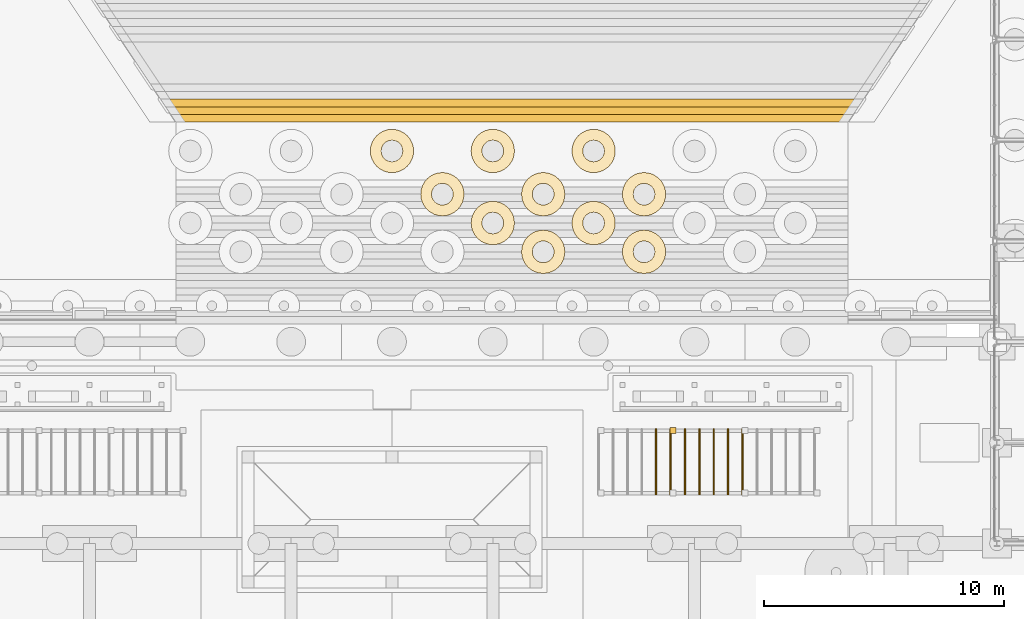
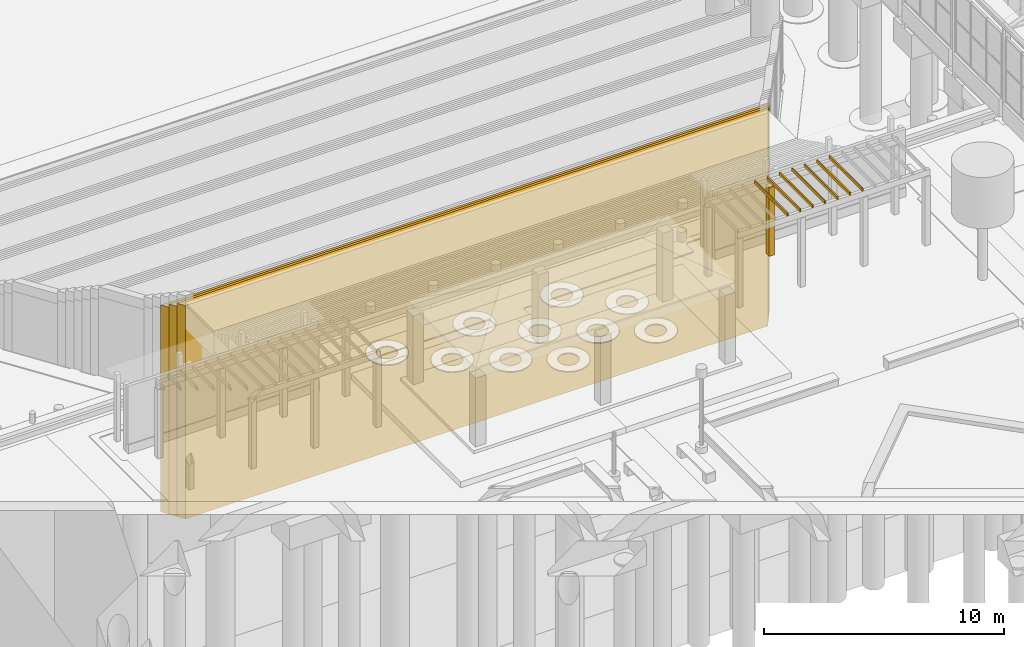
# One storey, part 178 of 222: 21 coverings.
"""IFC4 building model written with IfcOpenShell, lengths in metres."""

import ifcopenshell
import ifcopenshell.guid

model = None  # the IFC model being written
_history = None  # IfcOwnerHistory: only IFC2X3 demands one
_inside = {}  # id of a spatial element -> (the spatial element, [elements in it])
_under = {}  # id of a project, library or spatial element -> (it, [spatial elements below it])
_declared = {}  # id of a project -> (the project, [libraries it declares])
_typed = {}  # id of a type object -> (the type object, [elements of that type])
_made_of = {}  # id of a material, layer set ... -> (it, [elements and type objects made of it])


def new_model(schema):
    """Start an empty IFC model of exactly this schema.

    Asked for "IFC4X3", IfcOpenShell would pick the latest addendum, in which some entities
    have other attributes; the version numbers below select the first issue.
    IFC2X3 requires an IfcOwnerHistory on every rooted entity: one is made here for all.
    """
    global model, _history
    if schema == "IFC4X3":
        model = ifcopenshell.file(schema_version=(4, 3, 0, 0))
    else:
        model = ifcopenshell.file(schema=schema)
    _inside.clear()
    _under.clear()
    _declared.clear()
    _typed.clear()
    _made_of.clear()
    _history = None
    if model.schema == "IFC2X3":
        org = make("IfcOrganization", Name="unknown")
        user = make(
            "IfcPersonAndOrganization",
            ThePerson=make("IfcPerson", FamilyName="unknown"),
            TheOrganization=org,
        )
        app = make(
            "IfcApplication",
            ApplicationDeveloper=org,
            Version="unknown",
            ApplicationFullName="unknown",
            ApplicationIdentifier="unknown",
        )
        _history = make(
            "IfcOwnerHistory",
            OwningUser=user,
            OwningApplication=app,
            ChangeAction="ADDED",
            CreationDate=0,
        )
    return model


def make(cls, **values):
    """One entity of the class cls with the attributes given. An attribute that is None is left unset."""
    return model.create_entity(
        cls, **{name: value for name, value in values.items() if value is not None}
    )


def rooted(cls, **values):
    """An entity with a GlobalId (a new one), such as an element, a storey or a relation."""
    return make(cls, GlobalId=ifcopenshell.guid.new(), OwnerHistory=_history, **values)


def si_unit(unit_type, name, prefix=None):
    """IfcSIUnit, for example si_unit("LENGTHUNIT", "METRE", prefix="MILLI")."""
    return make("IfcSIUnit", UnitType=unit_type, Prefix=prefix, Name=name)


def assignment(units):
    """IfcUnitAssignment: the units of a project."""
    return None if units is None else make("IfcUnitAssignment", Units=units)


def point(xyz):
    """IfcCartesianPoint."""
    return None if xyz is None else make("IfcCartesianPoint", Coordinates=xyz)


def direction(xyz):
    """IfcDirection."""
    return None if xyz is None else make("IfcDirection", DirectionRatios=xyz)


def frame(location, z_axis=None, x_axis=None):
    """IfcAxis2Placement3D, a coordinate frame: its origin and axes. An axis left out is left unset."""
    return make(
        "IfcAxis2Placement3D",
        Location=point(location),
        Axis=direction(z_axis),
        RefDirection=direction(x_axis),
    )


def origin():
    """The frame at (0, 0, 0) with its axes left unset."""
    return frame((0.0, 0.0, 0.0))


def place(relative_to, where):
    """IfcLocalPlacement: puts the frame where relative to a parent placement (None: the world)."""
    return make(
        "IfcLocalPlacement", PlacementRelTo=relative_to, RelativePlacement=where
    )


def context(
    kind, dimensions, precision=None, world=None, true_north=None, identifier=None
):
    """IfcGeometricRepresentationContext, for example the 3D "Model" context."""
    return make(
        "IfcGeometricRepresentationContext",
        ContextIdentifier=identifier,
        ContextType=kind,
        CoordinateSpaceDimension=dimensions,
        Precision=precision,
        WorldCoordinateSystem=world,
        TrueNorth=true_north,
    )


def subcontext(parent, identifier, kind, view, scale=None):
    """IfcGeometricRepresentationSubContext, for example "Body" below "Model"."""
    return make(
        "IfcGeometricRepresentationSubContext",
        ContextIdentifier=identifier,
        ContextType=kind,
        ParentContext=parent,
        TargetScale=scale,
        TargetView=view,
    )


def project(units=None, contexts=None):
    """IfcProject with its units and contexts."""
    return rooted(
        "IfcProject",
        Name="project",
        RepresentationContexts=contexts,
        UnitsInContext=assignment(units),
    )


def spatial(cls, under=None, at=None, **own):
    """A site, building, storey or space (cls), placed at a placement, below another one or the project."""
    s = rooted(cls, ObjectPlacement=at, **own)
    if under is not None:
        _under.setdefault(under.id(), (under, []))[1].append(s)
    return s


def polyline(points):
    """IfcPolyline through the points."""
    return make("IfcPolyline", Points=[point(p) for p in points])


def outline(outer, holes=None, kind="AREA"):
    """IfcArbitraryClosedProfileDef: a profile drawn as a closed curve; with holes, ...WithVoids."""
    if holes is None:
        return make("IfcArbitraryClosedProfileDef", ProfileType=kind, OuterCurve=outer)
    return make(
        "IfcArbitraryProfileDefWithVoids",
        ProfileType=kind,
        OuterCurve=outer,
        InnerCurves=holes,
    )


def extrude(swept, where, along, depth):
    """IfcExtrudedAreaSolid: the profile swept, set in the frame where, extruded along a direction by depth."""
    return make(
        "IfcExtrudedAreaSolid",
        SweptArea=swept,
        Position=where,
        ExtrudedDirection=direction(along),
        Depth=depth,
    )


def shape(context_of_items, identifier, shape_type, items):
    """IfcShapeRepresentation: the items that make up one representation, for example the "Body"."""
    return make(
        "IfcShapeRepresentation",
        ContextOfItems=context_of_items,
        RepresentationIdentifier=identifier,
        RepresentationType=shape_type,
        Items=items,
    )


def material(Name=None, Category=None):
    """IfcMaterial."""
    return make("IfcMaterial", Name=Name, Category=Category)


def layer(
    of_material, thickness, ventilated=None, Name=None, Category=None, Priority=None
):
    """IfcMaterialLayer: one layer of a wall or slab, of a material (None: an air gap)."""
    return make(
        "IfcMaterialLayer",
        Material=of_material,
        LayerThickness=thickness,
        IsVentilated=ventilated,
        Name=Name,
        Category=Category,
        Priority=Priority,
    )


def layer_set(layers, Name=None):
    """IfcMaterialLayerSet."""
    return make("IfcMaterialLayerSet", MaterialLayers=layers, LayerSetName=Name)


def made_of(thing, what):
    """Note that an element or type object is made of a material, layer set ...; save() writes the relation."""
    if what is not None:
        _made_of.setdefault(what.id(), (what, []))[1].append(thing)
    return thing


def type_object(cls, material=None, **own):
    """A type object (cls), such as IfcWallType, which elements share."""
    return made_of(rooted(cls, **own), material)


def element(
    cls,
    number,
    at=None,
    inside=None,
    cuts=None,
    type_object=None,
    material=None,
    context=None,
    identifier="Body",
    shape_type=None,
    held_by="IfcProductDefinitionShape",
    body=None,
    shapes=None,
    **own,
):
    """One element of the class cls, such as IfcWall. Its Tag is "e" and its number.

    at: its placement. inside: the storey or other place that contains it. cuts: it is an
    opening in that element (IfcRelVoidsElement). A single representation is given by context,
    identifier, shape_type and body (its items); several are given by shapes. held_by: the class
    of the entity that holds the representations. save() writes the other relations.
    """
    e = rooted(cls, Tag="e%d" % number, ObjectPlacement=at, **own)
    if body is not None:
        shapes = [shape(context, identifier, shape_type, body)]
    if shapes is not None:
        e.Representation = make(held_by, Representations=shapes)
    if inside is not None:
        _inside.setdefault(inside.id(), (inside, []))[1].append(e)
    if cuts is not None:
        rooted(
            "IfcRelVoidsElement", RelatingBuildingElement=cuts, RelatedOpeningElement=e
        )
    if type_object is not None:
        _typed.setdefault(type_object.id(), (type_object, []))[1].append(e)
    return made_of(e, material)


def aggregate(whole, parts):
    """IfcRelAggregates: a whole, such as a stair, and the parts it consists of."""
    return rooted("IfcRelAggregates", RelatingObject=whole, RelatedObjects=parts)


def save(model, path):
    """Write the relations noted so far, then the file.

    IfcRelAggregates (storeys below a building ...), IfcRelContainedInSpatialStructure (elements
    in a storey), IfcRelDefinesByType, IfcRelAssociatesMaterial and IfcRelDeclares: one each for
    every whole, place, type object, material and project.
    """
    for whole, parts in _under.values():
        aggregate(whole, parts)
    for where, things in _inside.values():
        rooted(
            "IfcRelContainedInSpatialStructure",
            RelatedElements=things,
            RelatingStructure=where,
        )
    for kind, things in _typed.values():
        rooted("IfcRelDefinesByType", RelatedObjects=things, RelatingType=kind)
    for what, things in _made_of.values():
        rooted("IfcRelAssociatesMaterial", RelatedObjects=things, RelatingMaterial=what)
    for by, libraries in _declared.values():
        rooted("IfcRelDeclares", RelatingContext=by, RelatedDefinitions=libraries)
    model.write(path)


model = new_model("IFC4")

# Units and contexts
model_context = context("Model", 3, precision=1e-05, world=origin(), true_north=direction((0.0, 1.0)))
body_context = subcontext(model_context, "Body", "Model", "MODEL_VIEW")
ifc_project = project(units=[si_unit("LENGTHUNIT", "METRE"), si_unit("AREAUNIT", "SQUARE_METRE"), si_unit("VOLUMEUNIT", "CUBIC_METRE"), si_unit("PLANEANGLEUNIT", "RADIAN"), si_unit("MASSUNIT", "GRAM", prefix="KILO")], contexts=[model_context])

# Site, building, storey
site_placement = place(None, origin())
site = spatial("IfcSite", under=ifc_project, at=site_placement, CompositionType="ELEMENT")
building_placement = place(site_placement, origin())
building = spatial("IfcBuilding", under=site, at=building_placement, Name="Sava Quay Ferry Terminal", CompositionType="ELEMENT")
storey_placement = place(building_placement, origin())
storey = spatial("IfcBuildingStorey", under=building, at=storey_placement, Name="L00", CompositionType="ELEMENT", Elevation=0.0)

# Coverings
ifc_material_1 = material(Name="Steel S355", Category="steel")
ifc_layer_1 = layer(ifc_material_1, 0.25)
ifc_layer_set_1 = layer_set([ifc_layer_1], Name="Steel S355")
covering_type_1 = type_object("IfcCoveringType", Name="Promenade pergola post 250", PredefinedType="CLADDING", material=ifc_layer_set_1)
covering_1_placement = place(storey_placement, origin())
element("IfcCovering", 1, at=covering_1_placement, inside=storey, type_object=covering_type_1, Name="Promenade pergola post", PredefinedType="CLADDING", context=body_context, shape_type="SweptSolid", body=[
    extrude(outline(polyline([(32.824951171875, 113.77490234375), (32.824951171875, 114.02490234375), (32.574951171875, 114.02490234375), (32.574951171875, 113.77490234375), (32.824951171875, 113.77490234375)])), origin(), (0.0, 0.0, 1.0), 3.5),
])
ifc_material_2 = material(Name="Glulam GL28h", Category="wood")
ifc_layer_2 = layer(ifc_material_2, 0.06005859375)
ifc_layer_set_2 = layer_set([ifc_layer_2], Name="Glulam GL28h")
covering_type_2 = type_object("IfcCoveringType", Name="Promenade pergola rafter 60x150", PredefinedType="CLADDING", material=ifc_layer_set_2)
covering_2_placement = place(storey_placement, frame((0.0, 0.0, 3.800048828125)))
element("IfcCovering", 2, at=covering_2_placement, inside=storey, type_object=covering_type_2, Name="Promenade pergola rafter", PredefinedType="CLADDING", context=body_context, shape_type="SweptSolid", body=[
    extrude(outline(polyline([(32.034912109375, 111.22509765625), (32.034912109375, 113.97509765625), (31.97509765625, 113.97509765625), (31.97509765625, 111.22509765625), (32.034912109375, 111.22509765625)])), origin(), (0.0, 0.0, 1.0), 0.14990234375),
])
covering_3_placement = place(storey_placement, frame((0.0, 0.0, 3.800048828125)))
element("IfcCovering", 3, at=covering_3_placement, inside=storey, type_object=covering_type_2, Name="Promenade pergola rafter", PredefinedType="CLADDING", context=body_context, shape_type="SweptSolid", body=[
    extrude(outline(polyline([(32.635009765625, 111.22509765625), (32.635009765625, 113.97509765625), (32.574951171875, 113.97509765625), (32.574951171875, 111.22509765625), (32.635009765625, 111.22509765625)])), origin(), (0.0, 0.0, 1.0), 0.14990234375),
])
covering_4_placement = place(storey_placement, frame((0.0, 0.0, 3.800048828125)))
element("IfcCovering", 4, at=covering_4_placement, inside=storey, type_object=covering_type_2, Name="Promenade pergola rafter", PredefinedType="CLADDING", context=body_context, shape_type="SweptSolid", body=[
    extrude(outline(polyline([(33.235107421875, 111.22509765625), (33.235107421875, 113.97509765625), (33.175048828125, 113.97509765625), (33.175048828125, 111.22509765625), (33.235107421875, 111.22509765625)])), origin(), (0.0, 0.0, 1.0), 0.14990234375),
])
covering_5_placement = place(storey_placement, frame((0.0, 0.0, 3.800048828125)))
element("IfcCovering", 5, at=covering_5_placement, inside=storey, type_object=covering_type_2, Name="Promenade pergola rafter", PredefinedType="CLADDING", context=body_context, shape_type="SweptSolid", body=[
    extrude(outline(polyline([(33.8349609375, 111.22509765625), (33.8349609375, 113.97509765625), (33.77490234375, 113.97509765625), (33.77490234375, 111.22509765625), (33.8349609375, 111.22509765625)])), origin(), (0.0, 0.0, 1.0), 0.14990234375),
])
covering_6_placement = place(storey_placement, frame((0.0, 0.0, 3.800048828125)))
element("IfcCovering", 6, at=covering_6_placement, inside=storey, type_object=covering_type_2, Name="Promenade pergola rafter", PredefinedType="CLADDING", context=body_context, shape_type="SweptSolid", body=[
    extrude(outline(polyline([(34.43505859375, 111.22509765625), (34.43505859375, 113.97509765625), (34.375, 113.97509765625), (34.375, 111.22509765625), (34.43505859375, 111.22509765625)])), origin(), (0.0, 0.0, 1.0), 0.14990234375),
])
covering_7_placement = place(storey_placement, frame((0.0, 0.0, 3.800048828125)))
element("IfcCovering", 7, at=covering_7_placement, inside=storey, type_object=covering_type_2, Name="Promenade pergola rafter", PredefinedType="CLADDING", context=body_context, shape_type="SweptSolid", body=[
    extrude(outline(polyline([(35.034912109375, 111.22509765625), (35.034912109375, 113.97509765625), (34.97509765625, 113.97509765625), (34.97509765625, 111.22509765625), (35.034912109375, 111.22509765625)])), origin(), (0.0, 0.0, 1.0), 0.14990234375),
])
covering_8_placement = place(storey_placement, frame((0.0, 0.0, 3.800048828125)))
element("IfcCovering", 8, at=covering_8_placement, inside=storey, type_object=covering_type_2, Name="Promenade pergola rafter", PredefinedType="CLADDING", context=body_context, shape_type="SweptSolid", body=[
    extrude(outline(polyline([(35.635009765625, 111.22509765625), (35.635009765625, 113.97509765625), (35.574951171875, 113.97509765625), (35.574951171875, 111.22509765625), (35.635009765625, 111.22509765625)])), origin(), (0.0, 0.0, 1.0), 0.14990234375),
])
ifc_material_3 = material(Name="Water")
ifc_layer_3 = layer(ifc_material_3, 0.0400390625)
ifc_layer_set_3 = layer_set([ifc_layer_3], Name="Water")
covering_type_3 = type_object("IfcCoveringType", Name="River foam collar", PredefinedType="CLADDING", material=ifc_layer_set_3)
covering_9_placement = place(storey_placement, frame((0.0, 0.0, -8.0)))
element("IfcCovering", 9, at=covering_9_placement, inside=storey, type_object=covering_type_3, Name="River foam collar", PredefinedType="CLADDING", context=body_context, shape_type="SweptSolid", body=[
    extrude(outline(polyline([(26.662109375, 121.988037109375), (26.550048828125, 121.85107421875), (26.466064453125, 121.695068359375), (26.4150390625, 121.52587890625), (26.39794921875, 121.35009765625), (26.4150390625, 121.174072265625), (26.466064453125, 121.0048828125), (26.550048828125, 120.84912109375), (26.662109375, 120.7119140625), (26.799072265625, 120.60009765625), (26.955078125, 120.51611328125), (27.1240234375, 120.465087890625), (27.300048828125, 120.447998046875), (27.47607421875, 120.465087890625), (27.64501953125, 120.51611328125), (27.801025390625, 120.60009765625), (27.93798828125, 120.7119140625), (28.050048828125, 120.84912109375), (28.134033203125, 121.0048828125), (28.18505859375, 121.174072265625), (28.201904296875, 121.35009765625), (28.18505859375, 121.52587890625), (28.134033203125, 121.695068359375), (28.050048828125, 121.85107421875), (27.93798828125, 121.988037109375), (27.801025390625, 122.10009765625), (27.64501953125, 122.18408203125), (27.47607421875, 122.235107421875), (27.300048828125, 122.251953125), (27.1240234375, 122.235107421875), (26.955078125, 122.18408203125), (26.799072265625, 122.10009765625), (26.662109375, 121.988037109375)]), holes=[polyline([(26.98193359375, 121.031982421875), (26.926025390625, 121.10009765625), (26.884033203125, 121.177978515625), (26.85888671875, 121.261962890625), (26.85009765625, 121.35009765625), (26.85888671875, 121.43798828125), (26.884033203125, 121.52197265625), (26.926025390625, 121.60009765625), (26.98193359375, 121.66796875), (27.050048828125, 121.72412109375), (27.1279296875, 121.76611328125), (27.2119140625, 121.791015625), (27.300048828125, 121.800048828125), (27.387939453125, 121.791015625), (27.471923828125, 121.76611328125), (27.550048828125, 121.72412109375), (27.617919921875, 121.66796875), (27.674072265625, 121.60009765625), (27.716064453125, 121.52197265625), (27.740966796875, 121.43798828125), (27.75, 121.35009765625), (27.740966796875, 121.261962890625), (27.716064453125, 121.177978515625), (27.674072265625, 121.10009765625), (27.617919921875, 121.031982421875), (27.550048828125, 120.97607421875), (27.471923828125, 120.93408203125), (27.387939453125, 120.908935546875), (27.300048828125, 120.89990234375), (27.2119140625, 120.908935546875), (27.1279296875, 120.93408203125), (27.050048828125, 120.97607421875), (26.98193359375, 121.031982421875)])]), origin(), (0.0, 0.0, 1.0), 0.0400390625),
])
covering_10_placement = place(storey_placement, frame((0.0, 0.0, -8.0)))
element("IfcCovering", 10, at=covering_10_placement, inside=storey, type_object=covering_type_3, Name="River foam collar", PredefinedType="CLADDING", context=body_context, shape_type="SweptSolid", body=[
    extrude(outline(polyline([(30.9990234375, 122.10009765625), (30.862060546875, 121.988037109375), (30.75, 121.85107421875), (30.666015625, 121.695068359375), (30.614990234375, 121.52587890625), (30.597900390625, 121.35009765625), (30.614990234375, 121.174072265625), (30.666015625, 121.0048828125), (30.75, 120.84912109375), (30.862060546875, 120.7119140625), (30.9990234375, 120.60009765625), (31.155029296875, 120.51611328125), (31.323974609375, 120.465087890625), (31.5, 120.447998046875), (31.676025390625, 120.465087890625), (31.844970703125, 120.51611328125), (32.0009765625, 120.60009765625), (32.137939453125, 120.7119140625), (32.25, 120.84912109375), (32.333984375, 121.0048828125), (32.385009765625, 121.174072265625), (32.402099609375, 121.35009765625), (32.385009765625, 121.52587890625), (32.333984375, 121.695068359375), (32.25, 121.85107421875), (32.137939453125, 121.988037109375), (32.0009765625, 122.10009765625), (31.844970703125, 122.18408203125), (31.676025390625, 122.235107421875), (31.5, 122.251953125), (31.323974609375, 122.235107421875), (31.155029296875, 122.18408203125), (30.9990234375, 122.10009765625)]), holes=[polyline([(31.25, 120.97607421875), (31.181884765625, 121.031982421875), (31.1259765625, 121.10009765625), (31.083984375, 121.177978515625), (31.05908203125, 121.261962890625), (31.050048828125, 121.35009765625), (31.05908203125, 121.43798828125), (31.083984375, 121.52197265625), (31.1259765625, 121.60009765625), (31.181884765625, 121.66796875), (31.25, 121.72412109375), (31.327880859375, 121.76611328125), (31.412109375, 121.791015625), (31.5, 121.800048828125), (31.587890625, 121.791015625), (31.672119140625, 121.76611328125), (31.75, 121.72412109375), (31.818115234375, 121.66796875), (31.8740234375, 121.60009765625), (31.916015625, 121.52197265625), (31.94091796875, 121.43798828125), (31.949951171875, 121.35009765625), (31.94091796875, 121.261962890625), (31.916015625, 121.177978515625), (31.8740234375, 121.10009765625), (31.818115234375, 121.031982421875), (31.75, 120.97607421875), (31.672119140625, 120.93408203125), (31.587890625, 120.908935546875), (31.5, 120.89990234375), (31.412109375, 120.908935546875), (31.327880859375, 120.93408203125), (31.25, 120.97607421875)])]), origin(), (0.0, 0.0, 1.0), 0.0400390625),
])
covering_11_placement = place(storey_placement, frame((0.0, 0.0, -8.0)))
element("IfcCovering", 11, at=covering_11_placement, inside=storey, type_object=covering_type_3, Name="River foam collar", PredefinedType="CLADDING", context=body_context, shape_type="SweptSolid", body=[
    extrude(outline(polyline([(25.544921875, 123.384033203125), (25.3759765625, 123.43505859375), (25.199951171875, 123.451904296875), (25.02392578125, 123.43505859375), (24.85498046875, 123.384033203125), (24.698974609375, 123.300048828125), (24.56201171875, 123.18798828125), (24.449951171875, 123.051025390625), (24.365966796875, 122.89501953125), (24.31494140625, 122.72607421875), (24.298095703125, 122.550048828125), (24.31494140625, 122.3740234375), (24.365966796875, 122.205078125), (24.449951171875, 122.049072265625), (24.56201171875, 121.912109375), (24.698974609375, 121.800048828125), (24.85498046875, 121.716064453125), (25.02392578125, 121.6650390625), (25.199951171875, 121.64794921875), (25.3759765625, 121.6650390625), (25.544921875, 121.716064453125), (25.700927734375, 121.800048828125), (25.837890625, 121.912109375), (25.949951171875, 122.049072265625), (26.033935546875, 122.205078125), (26.0849609375, 122.3740234375), (26.10205078125, 122.550048828125), (26.0849609375, 122.72607421875), (26.033935546875, 122.89501953125), (25.949951171875, 123.051025390625), (25.837890625, 123.18798828125), (25.700927734375, 123.300048828125), (25.544921875, 123.384033203125)]), holes=[polyline([(25.3720703125, 122.134033203125), (25.2880859375, 122.10888671875), (25.199951171875, 122.10009765625), (25.112060546875, 122.10888671875), (25.028076171875, 122.134033203125), (24.949951171875, 122.176025390625), (24.882080078125, 122.23193359375), (24.825927734375, 122.300048828125), (24.783935546875, 122.3779296875), (24.759033203125, 122.4619140625), (24.75, 122.550048828125), (24.759033203125, 122.637939453125), (24.783935546875, 122.721923828125), (24.825927734375, 122.800048828125), (24.882080078125, 122.867919921875), (24.949951171875, 122.924072265625), (25.028076171875, 122.966064453125), (25.112060546875, 122.990966796875), (25.199951171875, 123.0), (25.2880859375, 122.990966796875), (25.3720703125, 122.966064453125), (25.449951171875, 122.924072265625), (25.51806640625, 122.867919921875), (25.573974609375, 122.800048828125), (25.615966796875, 122.721923828125), (25.64111328125, 122.637939453125), (25.64990234375, 122.550048828125), (25.64111328125, 122.4619140625), (25.615966796875, 122.3779296875), (25.573974609375, 122.300048828125), (25.51806640625, 122.23193359375), (25.449951171875, 122.176025390625), (25.3720703125, 122.134033203125)])]), origin(), (0.0, 0.0, 1.0), 0.0400390625),
])
covering_12_placement = place(storey_placement, frame((0.0, 0.0, -8.0)))
element("IfcCovering", 12, at=covering_12_placement, inside=storey, type_object=covering_type_3, Name="River foam collar", PredefinedType="CLADDING", context=body_context, shape_type="SweptSolid", body=[
    extrude(outline(polyline([(29.90087890625, 123.300048828125), (29.7451171875, 123.384033203125), (29.575927734375, 123.43505859375), (29.39990234375, 123.451904296875), (29.22412109375, 123.43505859375), (29.054931640625, 123.384033203125), (28.89892578125, 123.300048828125), (28.761962890625, 123.18798828125), (28.64990234375, 123.051025390625), (28.56591796875, 122.89501953125), (28.514892578125, 122.72607421875), (28.498046875, 122.550048828125), (28.514892578125, 122.3740234375), (28.56591796875, 122.205078125), (28.64990234375, 122.049072265625), (28.761962890625, 121.912109375), (28.89892578125, 121.800048828125), (29.054931640625, 121.716064453125), (29.22412109375, 121.6650390625), (29.39990234375, 121.64794921875), (29.575927734375, 121.6650390625), (29.7451171875, 121.716064453125), (29.90087890625, 121.800048828125), (30.0380859375, 121.912109375), (30.14990234375, 122.049072265625), (30.23388671875, 122.205078125), (30.284912109375, 122.3740234375), (30.302001953125, 122.550048828125), (30.284912109375, 122.72607421875), (30.23388671875, 122.89501953125), (30.14990234375, 123.051025390625), (30.0380859375, 123.18798828125), (29.90087890625, 123.300048828125)]), holes=[polyline([(29.64990234375, 122.176025390625), (29.572021484375, 122.134033203125), (29.488037109375, 122.10888671875), (29.39990234375, 122.10009765625), (29.31201171875, 122.10888671875), (29.22802734375, 122.134033203125), (29.14990234375, 122.176025390625), (29.08203125, 122.23193359375), (29.02587890625, 122.300048828125), (28.98388671875, 122.3779296875), (28.958984375, 122.4619140625), (28.949951171875, 122.550048828125), (28.958984375, 122.637939453125), (28.98388671875, 122.721923828125), (29.02587890625, 122.800048828125), (29.08203125, 122.867919921875), (29.14990234375, 122.924072265625), (29.22802734375, 122.966064453125), (29.31201171875, 122.990966796875), (29.39990234375, 123.0), (29.488037109375, 122.990966796875), (29.572021484375, 122.966064453125), (29.64990234375, 122.924072265625), (29.718017578125, 122.867919921875), (29.77392578125, 122.800048828125), (29.81591796875, 122.721923828125), (29.841064453125, 122.637939453125), (29.85009765625, 122.550048828125), (29.841064453125, 122.4619140625), (29.81591796875, 122.3779296875), (29.77392578125, 122.300048828125), (29.718017578125, 122.23193359375), (29.64990234375, 122.176025390625)])]), origin(), (0.0, 0.0, 1.0), 0.0400390625),
])
covering_13_placement = place(storey_placement, frame((0.0, 0.0, -8.0)))
element("IfcCovering", 13, at=covering_13_placement, inside=storey, type_object=covering_type_3, Name="River foam collar", PredefinedType="CLADDING", context=body_context, shape_type="SweptSolid", body=[
    extrude(outline(polyline([(24.001953125, 123.75), (23.985107421875, 123.926025390625), (23.93408203125, 124.094970703125), (23.85009765625, 124.2509765625), (23.738037109375, 124.387939453125), (23.60107421875, 124.5), (23.445068359375, 124.583984375), (23.27587890625, 124.635009765625), (23.10009765625, 124.652099609375), (22.924072265625, 124.635009765625), (22.7548828125, 124.583984375), (22.59912109375, 124.5), (22.4619140625, 124.387939453125), (22.35009765625, 124.2509765625), (22.26611328125, 124.094970703125), (22.215087890625, 123.926025390625), (22.197998046875, 123.75), (22.215087890625, 123.573974609375), (22.26611328125, 123.405029296875), (22.35009765625, 123.2490234375), (22.4619140625, 123.112060546875), (22.59912109375, 123.0), (22.7548828125, 122.916015625), (22.924072265625, 122.864990234375), (23.10009765625, 122.847900390625), (23.27587890625, 122.864990234375), (23.445068359375, 122.916015625), (23.60107421875, 123.0), (23.738037109375, 123.112060546875), (23.85009765625, 123.2490234375), (23.93408203125, 123.405029296875), (23.985107421875, 123.573974609375), (24.001953125, 123.75)]), holes=[polyline([(23.550048828125, 123.75), (23.541015625, 123.662109375), (23.51611328125, 123.577880859375), (23.47412109375, 123.5), (23.41796875, 123.431884765625), (23.35009765625, 123.3759765625), (23.27197265625, 123.333984375), (23.18798828125, 123.30908203125), (23.10009765625, 123.300048828125), (23.011962890625, 123.30908203125), (22.927978515625, 123.333984375), (22.85009765625, 123.3759765625), (22.781982421875, 123.431884765625), (22.72607421875, 123.5), (22.68408203125, 123.577880859375), (22.658935546875, 123.662109375), (22.64990234375, 123.75), (22.658935546875, 123.837890625), (22.68408203125, 123.922119140625), (22.72607421875, 124.0), (22.781982421875, 124.068115234375), (22.85009765625, 124.1240234375), (22.927978515625, 124.166015625), (23.011962890625, 124.19091796875), (23.10009765625, 124.199951171875), (23.18798828125, 124.19091796875), (23.27197265625, 124.166015625), (23.35009765625, 124.1240234375), (23.41796875, 124.068115234375), (23.47412109375, 124.0), (23.51611328125, 123.922119140625), (23.541015625, 123.837890625), (23.550048828125, 123.75)])]), origin(), (0.0, 0.0, 1.0), 0.0400390625),
])
covering_14_placement = place(storey_placement, frame((0.0, 0.0, -8.0)))
element("IfcCovering", 14, at=covering_14_placement, inside=storey, type_object=covering_type_3, Name="River foam collar", PredefinedType="CLADDING", context=body_context, shape_type="SweptSolid", body=[
    extrude(outline(polyline([(28.18505859375, 123.573974609375), (28.201904296875, 123.75), (28.18505859375, 123.926025390625), (28.134033203125, 124.094970703125), (28.050048828125, 124.2509765625), (27.93798828125, 124.387939453125), (27.801025390625, 124.5), (27.64501953125, 124.583984375), (27.47607421875, 124.635009765625), (27.300048828125, 124.652099609375), (27.1240234375, 124.635009765625), (26.955078125, 124.583984375), (26.799072265625, 124.5), (26.662109375, 124.387939453125), (26.550048828125, 124.2509765625), (26.466064453125, 124.094970703125), (26.4150390625, 123.926025390625), (26.39794921875, 123.75), (26.4150390625, 123.573974609375), (26.466064453125, 123.405029296875), (26.550048828125, 123.2490234375), (26.662109375, 123.112060546875), (26.799072265625, 123.0), (26.955078125, 122.916015625), (27.1240234375, 122.864990234375), (27.300048828125, 122.847900390625), (27.47607421875, 122.864990234375), (27.64501953125, 122.916015625), (27.801025390625, 123.0), (27.93798828125, 123.112060546875), (28.050048828125, 123.2490234375), (28.134033203125, 123.405029296875), (28.18505859375, 123.573974609375)]), holes=[polyline([(27.740966796875, 123.837890625), (27.75, 123.75), (27.740966796875, 123.662109375), (27.716064453125, 123.577880859375), (27.674072265625, 123.5), (27.617919921875, 123.431884765625), (27.550048828125, 123.3759765625), (27.471923828125, 123.333984375), (27.387939453125, 123.30908203125), (27.300048828125, 123.300048828125), (27.2119140625, 123.30908203125), (27.1279296875, 123.333984375), (27.050048828125, 123.3759765625), (26.98193359375, 123.431884765625), (26.926025390625, 123.5), (26.884033203125, 123.577880859375), (26.85888671875, 123.662109375), (26.85009765625, 123.75), (26.85888671875, 123.837890625), (26.884033203125, 123.922119140625), (26.926025390625, 124.0), (26.98193359375, 124.068115234375), (27.050048828125, 124.1240234375), (27.1279296875, 124.166015625), (27.2119140625, 124.19091796875), (27.300048828125, 124.199951171875), (27.387939453125, 124.19091796875), (27.471923828125, 124.166015625), (27.550048828125, 124.1240234375), (27.617919921875, 124.068115234375), (27.674072265625, 124.0), (27.716064453125, 123.922119140625), (27.740966796875, 123.837890625)])]), origin(), (0.0, 0.0, 1.0), 0.0400390625),
])
covering_15_placement = place(storey_placement, frame((0.0, 0.0, -8.0)))
element("IfcCovering", 15, at=covering_15_placement, inside=storey, type_object=covering_type_3, Name="River foam collar", PredefinedType="CLADDING", context=body_context, shape_type="SweptSolid", body=[
    extrude(outline(polyline([(32.333984375, 123.405029296875), (32.385009765625, 123.573974609375), (32.402099609375, 123.75), (32.385009765625, 123.926025390625), (32.333984375, 124.094970703125), (32.25, 124.2509765625), (32.137939453125, 124.387939453125), (32.0009765625, 124.5), (31.844970703125, 124.583984375), (31.676025390625, 124.635009765625), (31.5, 124.652099609375), (31.323974609375, 124.635009765625), (31.155029296875, 124.583984375), (30.9990234375, 124.5), (30.862060546875, 124.387939453125), (30.75, 124.2509765625), (30.666015625, 124.094970703125), (30.614990234375, 123.926025390625), (30.597900390625, 123.75), (30.614990234375, 123.573974609375), (30.666015625, 123.405029296875), (30.75, 123.2490234375), (30.862060546875, 123.112060546875), (30.9990234375, 123.0), (31.155029296875, 122.916015625), (31.323974609375, 122.864990234375), (31.5, 122.847900390625), (31.676025390625, 122.864990234375), (31.844970703125, 122.916015625), (32.0009765625, 123.0), (32.137939453125, 123.112060546875), (32.25, 123.2490234375), (32.333984375, 123.405029296875)]), holes=[polyline([(31.916015625, 123.922119140625), (31.94091796875, 123.837890625), (31.949951171875, 123.75), (31.94091796875, 123.662109375), (31.916015625, 123.577880859375), (31.8740234375, 123.5), (31.818115234375, 123.431884765625), (31.75, 123.3759765625), (31.672119140625, 123.333984375), (31.587890625, 123.30908203125), (31.5, 123.300048828125), (31.412109375, 123.30908203125), (31.327880859375, 123.333984375), (31.25, 123.3759765625), (31.181884765625, 123.431884765625), (31.1259765625, 123.5), (31.083984375, 123.577880859375), (31.05908203125, 123.662109375), (31.050048828125, 123.75), (31.05908203125, 123.837890625), (31.083984375, 123.922119140625), (31.1259765625, 124.0), (31.181884765625, 124.068115234375), (31.25, 124.1240234375), (31.327880859375, 124.166015625), (31.412109375, 124.19091796875), (31.5, 124.199951171875), (31.587890625, 124.19091796875), (31.672119140625, 124.166015625), (31.75, 124.1240234375), (31.818115234375, 124.068115234375), (31.8740234375, 124.0), (31.916015625, 123.922119140625)])]), origin(), (0.0, 0.0, 1.0), 0.0400390625),
])
covering_16_placement = place(storey_placement, frame((0.0, 0.0, -8.0)))
element("IfcCovering", 16, at=covering_16_placement, inside=storey, type_object=covering_type_3, Name="River foam collar", PredefinedType="CLADDING", context=body_context, shape_type="SweptSolid", body=[
    extrude(outline(polyline([(21.344970703125, 124.716064453125), (21.5009765625, 124.800048828125), (21.637939453125, 124.912109375), (21.75, 125.049072265625), (21.833984375, 125.205078125), (21.885009765625, 125.3740234375), (21.902099609375, 125.550048828125), (21.885009765625, 125.72607421875), (21.833984375, 125.89501953125), (21.75, 126.051025390625), (21.637939453125, 126.18798828125), (21.5009765625, 126.300048828125), (21.344970703125, 126.384033203125), (21.176025390625, 126.43505859375), (21.0, 126.451904296875), (20.823974609375, 126.43505859375), (20.655029296875, 126.384033203125), (20.4990234375, 126.300048828125), (20.362060546875, 126.18798828125), (20.25, 126.051025390625), (20.166015625, 125.89501953125), (20.114990234375, 125.72607421875), (20.097900390625, 125.550048828125), (20.114990234375, 125.3740234375), (20.166015625, 125.205078125), (20.25, 125.049072265625), (20.362060546875, 124.912109375), (20.4990234375, 124.800048828125), (20.655029296875, 124.716064453125), (20.823974609375, 124.6650390625), (21.0, 124.64794921875), (21.176025390625, 124.6650390625), (21.344970703125, 124.716064453125)]), holes=[polyline([(21.172119140625, 125.966064453125), (21.25, 125.924072265625), (21.318115234375, 125.867919921875), (21.3740234375, 125.800048828125), (21.416015625, 125.721923828125), (21.44091796875, 125.637939453125), (21.449951171875, 125.550048828125), (21.44091796875, 125.4619140625), (21.416015625, 125.3779296875), (21.3740234375, 125.300048828125), (21.318115234375, 125.23193359375), (21.25, 125.176025390625), (21.172119140625, 125.134033203125), (21.087890625, 125.10888671875), (21.0, 125.10009765625), (20.912109375, 125.10888671875), (20.827880859375, 125.134033203125), (20.75, 125.176025390625), (20.681884765625, 125.23193359375), (20.6259765625, 125.300048828125), (20.583984375, 125.3779296875), (20.55908203125, 125.4619140625), (20.550048828125, 125.550048828125), (20.55908203125, 125.637939453125), (20.583984375, 125.721923828125), (20.6259765625, 125.800048828125), (20.681884765625, 125.867919921875), (20.75, 125.924072265625), (20.827880859375, 125.966064453125), (20.912109375, 125.990966796875), (21.0, 126.0), (21.087890625, 125.990966796875), (21.172119140625, 125.966064453125)])]), origin(), (0.0, 0.0, 1.0), 0.0400390625),
])
covering_17_placement = place(storey_placement, frame((0.0, 0.0, -8.0)))
element("IfcCovering", 17, at=covering_17_placement, inside=storey, type_object=covering_type_3, Name="River foam collar", PredefinedType="CLADDING", context=body_context, shape_type="SweptSolid", body=[
    extrude(outline(polyline([(25.3759765625, 124.6650390625), (25.544921875, 124.716064453125), (25.700927734375, 124.800048828125), (25.837890625, 124.912109375), (25.949951171875, 125.049072265625), (26.033935546875, 125.205078125), (26.0849609375, 125.3740234375), (26.10205078125, 125.550048828125), (26.0849609375, 125.72607421875), (26.033935546875, 125.89501953125), (25.949951171875, 126.051025390625), (25.837890625, 126.18798828125), (25.700927734375, 126.300048828125), (25.544921875, 126.384033203125), (25.3759765625, 126.43505859375), (25.199951171875, 126.451904296875), (25.02392578125, 126.43505859375), (24.85498046875, 126.384033203125), (24.698974609375, 126.300048828125), (24.56201171875, 126.18798828125), (24.449951171875, 126.051025390625), (24.365966796875, 125.89501953125), (24.31494140625, 125.72607421875), (24.298095703125, 125.550048828125), (24.31494140625, 125.3740234375), (24.365966796875, 125.205078125), (24.449951171875, 125.049072265625), (24.56201171875, 124.912109375), (24.698974609375, 124.800048828125), (24.85498046875, 124.716064453125), (25.02392578125, 124.6650390625), (25.199951171875, 124.64794921875), (25.3759765625, 124.6650390625)]), holes=[polyline([(25.2880859375, 125.990966796875), (25.3720703125, 125.966064453125), (25.449951171875, 125.924072265625), (25.51806640625, 125.867919921875), (25.573974609375, 125.800048828125), (25.615966796875, 125.721923828125), (25.64111328125, 125.637939453125), (25.64990234375, 125.550048828125), (25.64111328125, 125.4619140625), (25.615966796875, 125.3779296875), (25.573974609375, 125.300048828125), (25.51806640625, 125.23193359375), (25.449951171875, 125.176025390625), (25.3720703125, 125.134033203125), (25.2880859375, 125.10888671875), (25.199951171875, 125.10009765625), (25.112060546875, 125.10888671875), (25.028076171875, 125.134033203125), (24.949951171875, 125.176025390625), (24.882080078125, 125.23193359375), (24.825927734375, 125.300048828125), (24.783935546875, 125.3779296875), (24.759033203125, 125.4619140625), (24.75, 125.550048828125), (24.759033203125, 125.637939453125), (24.783935546875, 125.721923828125), (24.825927734375, 125.800048828125), (24.882080078125, 125.867919921875), (24.949951171875, 125.924072265625), (25.028076171875, 125.966064453125), (25.112060546875, 125.990966796875), (25.199951171875, 126.0), (25.2880859375, 125.990966796875)])]), origin(), (0.0, 0.0, 1.0), 0.0400390625),
])
covering_18_placement = place(storey_placement, frame((0.0, 0.0, -8.0)))
element("IfcCovering", 18, at=covering_18_placement, inside=storey, type_object=covering_type_3, Name="River foam collar", PredefinedType="CLADDING", context=body_context, shape_type="SweptSolid", body=[
    extrude(outline(polyline([(29.39990234375, 124.64794921875), (29.575927734375, 124.6650390625), (29.7451171875, 124.716064453125), (29.90087890625, 124.800048828125), (30.0380859375, 124.912109375), (30.14990234375, 125.049072265625), (30.23388671875, 125.205078125), (30.284912109375, 125.3740234375), (30.302001953125, 125.550048828125), (30.284912109375, 125.72607421875), (30.23388671875, 125.89501953125), (30.14990234375, 126.051025390625), (30.0380859375, 126.18798828125), (29.90087890625, 126.300048828125), (29.7451171875, 126.384033203125), (29.575927734375, 126.43505859375), (29.39990234375, 126.451904296875), (29.22412109375, 126.43505859375), (29.054931640625, 126.384033203125), (28.89892578125, 126.300048828125), (28.761962890625, 126.18798828125), (28.64990234375, 126.051025390625), (28.56591796875, 125.89501953125), (28.514892578125, 125.72607421875), (28.498046875, 125.550048828125), (28.514892578125, 125.3740234375), (28.56591796875, 125.205078125), (28.64990234375, 125.049072265625), (28.761962890625, 124.912109375), (28.89892578125, 124.800048828125), (29.054931640625, 124.716064453125), (29.22412109375, 124.6650390625), (29.39990234375, 124.64794921875)]), holes=[polyline([(29.39990234375, 126.0), (29.488037109375, 125.990966796875), (29.572021484375, 125.966064453125), (29.64990234375, 125.924072265625), (29.718017578125, 125.867919921875), (29.77392578125, 125.800048828125), (29.81591796875, 125.721923828125), (29.841064453125, 125.637939453125), (29.85009765625, 125.550048828125), (29.841064453125, 125.4619140625), (29.81591796875, 125.3779296875), (29.77392578125, 125.300048828125), (29.718017578125, 125.23193359375), (29.64990234375, 125.176025390625), (29.572021484375, 125.134033203125), (29.488037109375, 125.10888671875), (29.39990234375, 125.10009765625), (29.31201171875, 125.10888671875), (29.22802734375, 125.134033203125), (29.14990234375, 125.176025390625), (29.08203125, 125.23193359375), (29.02587890625, 125.300048828125), (28.98388671875, 125.3779296875), (28.958984375, 125.4619140625), (28.949951171875, 125.550048828125), (28.958984375, 125.637939453125), (28.98388671875, 125.721923828125), (29.02587890625, 125.800048828125), (29.08203125, 125.867919921875), (29.14990234375, 125.924072265625), (29.22802734375, 125.966064453125), (29.31201171875, 125.990966796875), (29.39990234375, 126.0)])]), origin(), (0.0, 0.0, 1.0), 0.0400390625),
])
ifc_material_4 = material(Name="Limestone ashlar", Category="masonry")
ifc_layer_4 = layer(ifc_material_4, 0.159912109375)
ifc_layer_set_4 = layer_set([ifc_layer_4], Name="Limestone ashlar")
covering_type_4 = type_object("IfcCoveringType", Name="Wet stair stone tread", PredefinedType="FLOORING", material=ifc_layer_set_4)
covering_19_placement = place(storey_placement, frame((0.0, 0.0, -14.0)))
element("IfcCovering", 19, at=covering_19_placement, inside=storey, type_object=covering_type_4, Name="Wet stair tread", PredefinedType="FLOORING", context=body_context, shape_type="SweptSolid", body=[
    extrude(outline(polyline([(12.0, 126.75), (40.0, 126.75), (40.212890625, 127.070068359375), (11.787109375, 127.070068359375), (12.0, 126.75)])), origin(), (0.0, 0.0, 1.0), 10.8408203125),
])
covering_20_placement = place(storey_placement, frame((0.0, 0.0, -14.0)))
element("IfcCovering", 20, at=covering_20_placement, inside=storey, type_object=covering_type_4, Name="Wet stair tread", PredefinedType="FLOORING", context=body_context, shape_type="SweptSolid", body=[
    extrude(outline(polyline([(11.787109375, 127.070068359375), (40.212890625, 127.070068359375), (40.427001953125, 127.389892578125), (11.572998046875, 127.389892578125), (11.787109375, 127.070068359375)])), origin(), (0.0, 0.0, 1.0), 10.681884765625),
])
covering_21_placement = place(storey_placement, frame((0.0, 0.0, -14.0)))
element("IfcCovering", 21, at=covering_21_placement, inside=storey, type_object=covering_type_4, Name="Wet stair tread", PredefinedType="FLOORING", context=body_context, shape_type="SweptSolid", body=[
    extrude(outline(polyline([(11.572998046875, 127.389892578125), (40.427001953125, 127.389892578125), (40.639892578125, 127.7099609375), (11.360107421875, 127.7099609375), (11.572998046875, 127.389892578125)])), origin(), (0.0, 0.0, 1.0), 10.522705078125),
])

save(model, "model.ifc")
